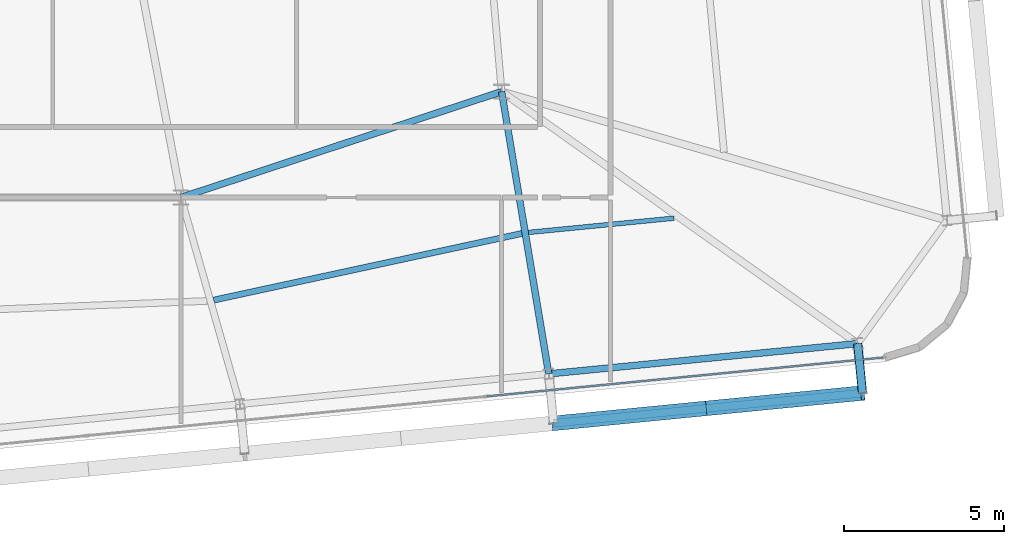
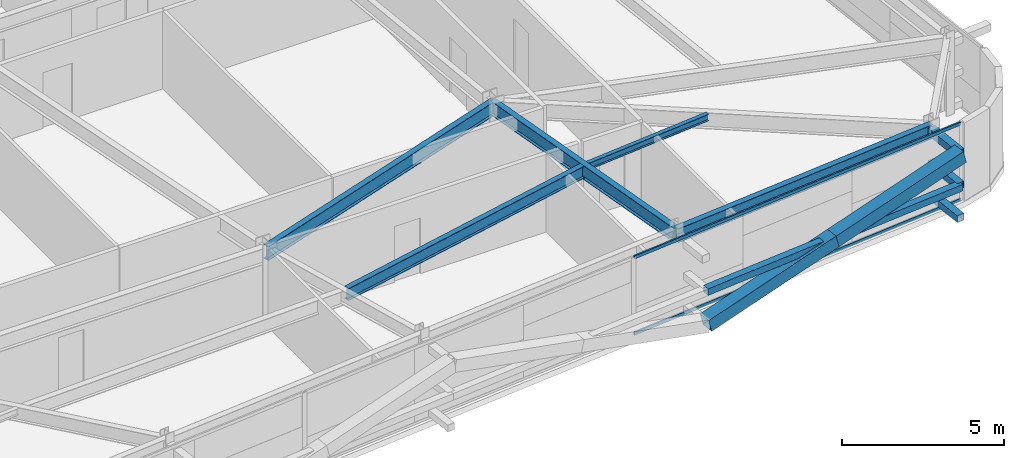
# One storey, part 16 of 47: 8 members, 5 beams, 1 element without a shape of its own.
"""IFC4 building model written with IfcOpenShell, lengths in metres."""

import ifcopenshell
import ifcopenshell.guid

model = None  # the IFC model being written
_history = None  # IfcOwnerHistory: only IFC2X3 demands one
_inside = {}  # id of a spatial element -> (the spatial element, [elements in it])
_under = {}  # id of a project, library or spatial element -> (it, [spatial elements below it])
_declared = {}  # id of a project -> (the project, [libraries it declares])
_typed = {}  # id of a type object -> (the type object, [elements of that type])
_made_of = {}  # id of a material, layer set ... -> (it, [elements and type objects made of it])


def new_model(schema):
    """Start an empty IFC model of exactly this schema.

    Asked for "IFC4X3", IfcOpenShell would pick the latest addendum, in which some entities
    have other attributes; the version numbers below select the first issue.
    IFC2X3 requires an IfcOwnerHistory on every rooted entity: one is made here for all.
    """
    global model, _history
    if schema == "IFC4X3":
        model = ifcopenshell.file(schema_version=(4, 3, 0, 0))
    else:
        model = ifcopenshell.file(schema=schema)
    _inside.clear()
    _under.clear()
    _declared.clear()
    _typed.clear()
    _made_of.clear()
    _history = None
    if model.schema == "IFC2X3":
        org = make("IfcOrganization", Name="unknown")
        user = make(
            "IfcPersonAndOrganization",
            ThePerson=make("IfcPerson", FamilyName="unknown"),
            TheOrganization=org,
        )
        app = make(
            "IfcApplication",
            ApplicationDeveloper=org,
            Version="unknown",
            ApplicationFullName="unknown",
            ApplicationIdentifier="unknown",
        )
        _history = make(
            "IfcOwnerHistory",
            OwningUser=user,
            OwningApplication=app,
            ChangeAction="ADDED",
            CreationDate=0,
        )
    return model


def make(cls, **values):
    """One entity of the class cls with the attributes given. An attribute that is None is left unset."""
    return model.create_entity(
        cls, **{name: value for name, value in values.items() if value is not None}
    )


def rooted(cls, **values):
    """An entity with a GlobalId (a new one), such as an element, a storey or a relation."""
    return make(cls, GlobalId=ifcopenshell.guid.new(), OwnerHistory=_history, **values)


def si_unit(unit_type, name, prefix=None):
    """IfcSIUnit, for example si_unit("LENGTHUNIT", "METRE", prefix="MILLI")."""
    return make("IfcSIUnit", UnitType=unit_type, Prefix=prefix, Name=name)


def assignment(units):
    """IfcUnitAssignment: the units of a project."""
    return None if units is None else make("IfcUnitAssignment", Units=units)


def point(xyz):
    """IfcCartesianPoint."""
    return None if xyz is None else make("IfcCartesianPoint", Coordinates=xyz)


def direction(xyz):
    """IfcDirection."""
    return None if xyz is None else make("IfcDirection", DirectionRatios=xyz)


def frame(location, z_axis=None, x_axis=None):
    """IfcAxis2Placement3D, a coordinate frame: its origin and axes. An axis left out is left unset."""
    return make(
        "IfcAxis2Placement3D",
        Location=point(location),
        Axis=direction(z_axis),
        RefDirection=direction(x_axis),
    )


def frame_2d(location, x_axis=None):
    """IfcAxis2Placement2D, a coordinate frame in the plane: its origin and x axis."""
    return make(
        "IfcAxis2Placement2D", Location=point(location), RefDirection=direction(x_axis)
    )


def origin():
    """The frame at (0, 0, 0) with its axes left unset."""
    return frame((0.0, 0.0, 0.0))


def origin_2d():
    """The frame at (0, 0) in the plane with its x axis left unset."""
    return frame_2d((0.0, 0.0))


def place(relative_to, where):
    """IfcLocalPlacement: puts the frame where relative to a parent placement (None: the world)."""
    return make(
        "IfcLocalPlacement", PlacementRelTo=relative_to, RelativePlacement=where
    )


def context(
    kind, dimensions, precision=None, world=None, true_north=None, identifier=None
):
    """IfcGeometricRepresentationContext, for example the 3D "Model" context."""
    return make(
        "IfcGeometricRepresentationContext",
        ContextIdentifier=identifier,
        ContextType=kind,
        CoordinateSpaceDimension=dimensions,
        Precision=precision,
        WorldCoordinateSystem=world,
        TrueNorth=true_north,
    )


def subcontext(parent, identifier, kind, view, scale=None):
    """IfcGeometricRepresentationSubContext, for example "Body" below "Model"."""
    return make(
        "IfcGeometricRepresentationSubContext",
        ContextIdentifier=identifier,
        ContextType=kind,
        ParentContext=parent,
        TargetScale=scale,
        TargetView=view,
    )


def project(units=None, contexts=None):
    """IfcProject with its units and contexts."""
    return rooted(
        "IfcProject",
        Name="project",
        RepresentationContexts=contexts,
        UnitsInContext=assignment(units),
    )


def spatial(cls, under=None, at=None, **own):
    """A site, building, storey or space (cls), placed at a placement, below another one or the project."""
    s = rooted(cls, ObjectPlacement=at, **own)
    if under is not None:
        _under.setdefault(under.id(), (under, []))[1].append(s)
    return s


def profile(cls, at=None, kind="AREA", **sizes):
    """A parametric profile (cls). Its sizes go by their IFC names, for example OverallWidth=200.0."""
    return make(cls, ProfileType=kind, Position=at, **sizes)


def hollow_rectangle(**sizes):
    """IfcRectangleHollowProfileDef."""
    return profile("IfcRectangleHollowProfileDef", **sizes)


def i_section(**sizes):
    """IfcIShapeProfileDef."""
    return profile("IfcIShapeProfileDef", **sizes)


def extrude(swept, where, along, depth):
    """IfcExtrudedAreaSolid: the profile swept, set in the frame where, extruded along a direction by depth."""
    return make(
        "IfcExtrudedAreaSolid",
        SweptArea=swept,
        Position=where,
        ExtrudedDirection=direction(along),
        Depth=depth,
    )


def shape(context_of_items, identifier, shape_type, items):
    """IfcShapeRepresentation: the items that make up one representation, for example the "Body"."""
    return make(
        "IfcShapeRepresentation",
        ContextOfItems=context_of_items,
        RepresentationIdentifier=identifier,
        RepresentationType=shape_type,
        Items=items,
    )


def source(mapping_origin, context_of_items, identifier, shape_type, items):
    """IfcRepresentationMap: a shape defined once, which mapped items show again and again."""
    return make(
        "IfcRepresentationMap",
        MappingOrigin=mapping_origin,
        MappedRepresentation=shape(context_of_items, identifier, shape_type, items),
    )


def transform(
    local_origin,
    x_axis=None,
    y_axis=None,
    z_axis=None,
    scale=None,
    scale2=None,
    scale3=None,
    uniform=True,
):
    """IfcCartesianTransformationOperator3D, or its non-uniform kind. x_axis, y_axis, z_axis: its Axis1, 2, 3."""
    if uniform:
        return make(
            "IfcCartesianTransformationOperator3D",
            Axis1=direction(x_axis),
            Axis2=direction(y_axis),
            LocalOrigin=point(local_origin),
            Scale=scale,
            Axis3=direction(z_axis),
        )
    return make(
        "IfcCartesianTransformationOperator3DnonUniform",
        Axis1=direction(x_axis),
        Axis2=direction(y_axis),
        LocalOrigin=point(local_origin),
        Scale=scale,
        Axis3=direction(z_axis),
        Scale2=scale2,
        Scale3=scale3,
    )


def mapped(mapping_source, mapping_target):
    """IfcMappedItem: shows the shape of a source again, moved by a transform."""
    return make(
        "IfcMappedItem", MappingSource=mapping_source, MappingTarget=mapping_target
    )


def material(Name=None, Category=None):
    """IfcMaterial."""
    return make("IfcMaterial", Name=Name, Category=Category)


def layer(
    of_material, thickness, ventilated=None, Name=None, Category=None, Priority=None
):
    """IfcMaterialLayer: one layer of a wall or slab, of a material (None: an air gap)."""
    return make(
        "IfcMaterialLayer",
        Material=of_material,
        LayerThickness=thickness,
        IsVentilated=ventilated,
        Name=Name,
        Category=Category,
        Priority=Priority,
    )


def layer_set(layers, Name=None):
    """IfcMaterialLayerSet."""
    return make("IfcMaterialLayerSet", MaterialLayers=layers, LayerSetName=Name)


def material_profile(
    of_material, cross_section, Name=None, Category=None, Priority=None
):
    """IfcMaterialProfile: a cross section and its material."""
    return make(
        "IfcMaterialProfile",
        Name=Name,
        Material=of_material,
        Profile=cross_section,
        Priority=Priority,
        Category=Category,
    )


def profile_set(profiles, Name=None, composite=None):
    """IfcMaterialProfileSet."""
    return make(
        "IfcMaterialProfileSet",
        Name=Name,
        MaterialProfiles=profiles,
        CompositeProfile=composite,
    )


def made_of(thing, what):
    """Note that an element or type object is made of a material, layer set ...; save() writes the relation."""
    if what is not None:
        _made_of.setdefault(what.id(), (what, []))[1].append(thing)
    return thing


def type_object(cls, material=None, **own):
    """A type object (cls), such as IfcWallType, which elements share."""
    return made_of(rooted(cls, **own), material)


def element(
    cls,
    number,
    at=None,
    inside=None,
    cuts=None,
    type_object=None,
    material=None,
    context=None,
    identifier="Body",
    shape_type=None,
    held_by="IfcProductDefinitionShape",
    body=None,
    shapes=None,
    **own,
):
    """One element of the class cls, such as IfcWall. Its Tag is "e" and its number.

    at: its placement. inside: the storey or other place that contains it. cuts: it is an
    opening in that element (IfcRelVoidsElement). A single representation is given by context,
    identifier, shape_type and body (its items); several are given by shapes. held_by: the class
    of the entity that holds the representations. save() writes the other relations.
    """
    e = rooted(cls, Tag="e%d" % number, ObjectPlacement=at, **own)
    if body is not None:
        shapes = [shape(context, identifier, shape_type, body)]
    if shapes is not None:
        e.Representation = make(held_by, Representations=shapes)
    if inside is not None:
        _inside.setdefault(inside.id(), (inside, []))[1].append(e)
    if cuts is not None:
        rooted(
            "IfcRelVoidsElement", RelatingBuildingElement=cuts, RelatedOpeningElement=e
        )
    if type_object is not None:
        _typed.setdefault(type_object.id(), (type_object, []))[1].append(e)
    return made_of(e, material)


def aggregate(whole, parts):
    """IfcRelAggregates: a whole, such as a stair, and the parts it consists of."""
    return rooted("IfcRelAggregates", RelatingObject=whole, RelatedObjects=parts)


def save(model, path):
    """Write the relations noted so far, then the file.

    IfcRelAggregates (storeys below a building ...), IfcRelContainedInSpatialStructure (elements
    in a storey), IfcRelDefinesByType, IfcRelAssociatesMaterial and IfcRelDeclares: one each for
    every whole, place, type object, material and project.
    """
    for whole, parts in _under.values():
        aggregate(whole, parts)
    for where, things in _inside.values():
        rooted(
            "IfcRelContainedInSpatialStructure",
            RelatedElements=things,
            RelatingStructure=where,
        )
    for kind, things in _typed.values():
        rooted("IfcRelDefinesByType", RelatedObjects=things, RelatingType=kind)
    for what, things in _made_of.values():
        rooted("IfcRelAssociatesMaterial", RelatedObjects=things, RelatingMaterial=what)
    for by, libraries in _declared.values():
        rooted("IfcRelDeclares", RelatingContext=by, RelatedDefinitions=libraries)
    model.write(path)


model = new_model("IFC4")

# Units and contexts
model_context = context("Model", 3, precision=1e-05, world=origin(), true_north=direction((0.0, 1.0)))
body_context = subcontext(model_context, "Body", "Model", "MODEL_VIEW")
ifc_project = project(units=[si_unit("LENGTHUNIT", "METRE"), si_unit("AREAUNIT", "SQUARE_METRE"), si_unit("VOLUMEUNIT", "CUBIC_METRE"), si_unit("PLANEANGLEUNIT", "RADIAN"), si_unit("MASSUNIT", "GRAM", prefix="KILO")], contexts=[model_context])

# Site, building, storey
site_placement = place(None, origin())
site = spatial("IfcSite", under=ifc_project, at=site_placement, CompositionType="ELEMENT")
building_placement = place(site_placement, origin())
building = spatial("IfcBuilding", under=site, at=building_placement, Name="Taldren Reach Tower", CompositionType="ELEMENT")
storey_placement = place(building_placement, frame((0.0, 0.0, 106.050048828125)))
storey = spatial("IfcBuildingStorey", under=building, at=storey_placement, Name="L32", CompositionType="ELEMENT", Elevation=106.050048828125)

# Beam
ifc_material_1 = material(Name="Steel Gr 350 (350PLUS)", Category="steel")
ifc_material_profile_1 = material_profile(ifc_material_1, i_section(OverallWidth=0.208984375, OverallDepth=0.532958984375, WebThickness=0.01025390625, FlangeThickness=0.015625, at=origin_2d()), Name="530UB92.4")
ifc_profile_set_1 = profile_set([ifc_material_profile_1], Name="Steel Gr 350 (350PLUS)")
beam_type_1 = type_object("IfcBeamType", Name="BM-UB530A", PredefinedType="BEAM", material=ifc_profile_set_1)
shared_shape_1 = source(origin(), body_context, "Body", "SweptSolid", [
    extrude(i_section(OverallWidth=0.208984375, OverallDepth=0.532958984375, WebThickness=0.01025390625, FlangeThickness=0.015625, at=origin_2d()), origin(), (0.0, 0.0, 1.0), 10.530517578125),
])
beam_1_placement = place(storey_placement, frame((42.0, 9.199951171875, 2.663330078125), z_axis=(0.949627269203, 0.313381635689, 0.0), x_axis=(-0.313381635689, 0.949627269203, 0.0)))
element("IfcBeam", 1, at=beam_1_placement, inside=storey, type_object=beam_type_1, Name="Core-spine girder L32-SP12", PredefinedType="BEAM", context=body_context, shape_type="MappedRepresentation", body=[
    mapped(shared_shape_1, transform((0.0, 0.0, 0.0), scale=1.0)),
])

# Members
ifc_material_2 = material(Name="Steel Gr 450 (C450L0)", Category="steel")
ifc_material_profile_2 = material_profile(ifc_material_2, hollow_rectangle(XDim=0.27490234375, YDim=0.27490234375, WallThickness=0.00927734375, at=origin_2d()), Name="275x275x9.3SHS")
ifc_profile_set_2 = profile_set([ifc_material_profile_2], Name="Steel Gr 450 (C450L0)")
member_type_1 = type_object("IfcMemberType", Name="MB-TIE273", PredefinedType="STRUT", material=ifc_profile_set_2)
shared_shape_2 = source(origin(), body_context, "Body", "SweptSolid", [
    extrude(hollow_rectangle(XDim=0.27490234375, YDim=0.27490234375, WallThickness=0.00927734375, at=origin_2d()), origin(), (0.0, 0.0, 1.0), 1.5498046875),
])
member_1_placement = place(storey_placement, frame((63.103271484375, 4.64306640625, 2.64990234375), z_axis=(0.097507178627, -0.995234821595, 0.0), x_axis=(0.995234821595, 0.097507178627, 0.0)))
element("IfcMember", 2, at=member_1_placement, inside=storey, type_object=member_type_1, Name="Exoskeleton diaphragm tie strut B2-S6 L32", PredefinedType="STRUT", context=body_context, shape_type="MappedRepresentation", body=[
    mapped(shared_shape_2, transform((0.0, 0.0, 0.0), scale=1.0)),
])
ifc_material_3 = material(Name="Steel Gr 350 (C350L0)", Category="steel")
ifc_material_profile_3 = material_profile(ifc_material_3, hollow_rectangle(XDim=0.25, YDim=0.25, WallThickness=0.010009765625, at=origin_2d()), Name="250x250x10.0SHS")
ifc_profile_set_3 = profile_set([ifc_material_profile_3], Name="Steel Gr 350 (C350L0)")
member_type_2 = type_object("IfcMemberType", Name="MB-POST250", PredefinedType="POST", material=ifc_profile_set_3)
shared_shape_3 = source(origin(), body_context, "Body", "SweptSolid", [
    extrude(hollow_rectangle(XDim=0.25, YDim=0.25, WallThickness=0.010009765625, at=origin_2d()), origin(), (0.0, 0.0, 1.0), 1.5498046875),
])
for number, where, z_axis, x_axis, name in (
    (3, (63.103271484375, 4.64306640625, 0.219970703125), (0.097507178627, -0.995234821595, 0.0), (0.995234821595, 0.097507178627, 0.0), "Exoskeleton base diaphragm tie strut B2-S6 L32"),
    (4, (63.103271484375, 4.64306640625, 1.43505859375), (0.097507178627, -0.995234821595, 0.0), (0.995234821595, 0.097507178627, 0.0), "Exoskeleton mid-tier diaphragm tie B2-S6 L32"),
):
    element("IfcMember", number, at=place(storey_placement, frame(where, z_axis=z_axis, x_axis=x_axis)), inside=storey, type_object=member_type_2, Name=name, PredefinedType="POST", context=body_context, shape_type="MappedRepresentation", body=[
        mapped(shared_shape_3, transform((0.0, 0.0, 0.0), scale=1.0)),
    ])

# Beams
ifc_material_profile_4 = material_profile(ifc_material_1, i_section(OverallWidth=0.208984375, OverallDepth=0.528076171875, WebThickness=0.009521484375, FlangeThickness=0.01318359375, at=origin_2d()), Name="530UB82.0")
ifc_profile_set_4 = profile_set([ifc_material_profile_4], Name="Steel Gr 350 (350PLUS)")
beam_type_2 = type_object("IfcBeamType", Name="SP-UB530B", PredefinedType="SPANDREL", material=ifc_profile_set_4)
shared_shape_4 = source(origin(), body_context, "Body", "SweptSolid", [
    extrude(i_section(OverallWidth=0.208984375, OverallDepth=0.528076171875, WebThickness=0.009521484375, FlangeThickness=0.01318359375, at=origin_2d()), origin(), (0.0, 0.0, 1.0), 9.679931640625),
])
beam_2_placement = place(storey_placement, frame((53.469482421875, 3.698486328125, 2.666015625), z_axis=(0.995227612658, 0.097580730699, 0.0), x_axis=(-0.097580730699, 0.995227612658, 0.0)))
element("IfcBeam", 5, at=beam_2_placement, inside=storey, type_object=beam_type_2, Name="Perimeter spandrel B2 S5-S6 L32", PredefinedType="SPANDREL", context=body_context, shape_type="MappedRepresentation", body=[
    mapped(shared_shape_4, transform((0.0, 0.0, 0.0), scale=1.0)),
])
shared_shape_5 = source(origin(), body_context, "Body", "SweptSolid", [
    extrude(i_section(OverallWidth=0.208984375, OverallDepth=0.532958984375, WebThickness=0.01025390625, FlangeThickness=0.015625, at=origin_2d()), origin(), (0.0, 0.0, 1.0), 8.92333984375),
])
beam_3_placement = place(storey_placement, frame((52.0, 12.5, 2.663330078125), z_axis=(0.164678494096, -0.986347298664, 0.0), x_axis=(0.986347298664, 0.164678494096, 0.0)))
element("IfcBeam", 6, at=beam_3_placement, inside=storey, type_object=beam_type_1, Name="Primary floor girder B2-S5 L32", PredefinedType="BEAM", context=body_context, shape_type="MappedRepresentation", body=[
    mapped(shared_shape_5, transform((0.0, 0.0, 0.0), scale=1.0)),
])
ifc_material_profile_5 = material_profile(ifc_material_1, i_section(OverallWidth=0.19091796875, OverallDepth=0.4599609375, WebThickness=0.010009765625, FlangeThickness=0.01611328125, at=origin_2d()), Name="460UB82.1")
ifc_profile_set_5 = profile_set([ifc_material_profile_5], Name="Steel Gr 350 (350PLUS)")
beam_type_3 = type_object("IfcBeamType", Name="BM-UB460A", PredefinedType="BEAM", material=ifc_profile_set_5)
shared_shape_6 = source(origin(), body_context, "Body", "SweptSolid", [
    extrude(i_section(OverallWidth=0.19091796875, OverallDepth=0.4599609375, WebThickness=0.010009765625, FlangeThickness=0.01611328125, at=origin_2d()), origin(), (0.0, 0.0, 1.0), 9.83447265625),
])
beam_4_placement = place(storey_placement, frame((43.02001953125, 5.9990234375, 2.699951171875), z_axis=(0.977418600156, 0.211312280924, 0.0), x_axis=(-0.211312280924, 0.977418600156, 0.0)))
element("IfcBeam", 7, at=beam_4_placement, inside=storey, type_object=beam_type_3, Name="Secondary floor beam B2 J4 L32", PredefinedType="BEAM", context=body_context, shape_type="MappedRepresentation", body=[
    mapped(shared_shape_6, transform((0.0, 0.0, 0.0), scale=1.0)),
])
ifc_material_4 = material(Name="Steel Gr 300 (300PLUS, 300 MPa)", Category="steel")
ifc_material_profile_6 = material_profile(ifc_material_4, i_section(OverallWidth=0.14599609375, OverallDepth=0.256103515625, WebThickness=0.00634765625, FlangeThickness=0.010986328125, at=origin_2d()), Name="250UB37.3")
ifc_profile_set_6 = profile_set([ifc_material_profile_6], Name="Steel Gr 300 (300PLUS, 300 MPa)")
beam_type_4 = type_object("IfcBeamType", Name="JS-UB250", PredefinedType="JOIST", material=ifc_profile_set_6)
shared_shape_7 = source(origin(), body_context, "Body", "SweptSolid", [
    extrude(i_section(OverallWidth=0.14599609375, OverallDepth=0.256103515625, WebThickness=0.00634765625, FlangeThickness=0.010986328125, at=origin_2d()), origin(), (0.0, 0.0, 1.0), 4.56103515625),
])
beam_5_placement = place(storey_placement, frame((52.8388671875, 8.109375, 2.802001953125), z_axis=(0.995227709746, 0.097579740487, 0.0), x_axis=(-0.097579740487, 0.995227709746, 0.0)))
element("IfcBeam", 8, at=beam_5_placement, inside=storey, type_object=beam_type_4, Name="Secondary floor joist B2 J5 L32", PredefinedType="JOIST", context=body_context, shape_type="MappedRepresentation", body=[
    mapped(shared_shape_7, transform((0.0, 0.0, 0.0), scale=1.0)),
])

# Members
ifc_material_profile_7 = material_profile(ifc_material_2, hollow_rectangle(XDim=0.4599609375, YDim=0.4599609375, WallThickness=0.01611328125, at=origin_2d()), Name="460x460x16.0SHS")
ifc_profile_set_7 = profile_set([ifc_material_profile_7], Name="Steel Gr 450 (C450L0)")
member_type_3 = type_object("IfcMemberType", Name="MB-EXO457", PredefinedType="BRACE", material=ifc_profile_set_7)
shared_shape_8 = source(origin(), body_context, "Body", "SweptSolid", [
    extrude(hollow_rectangle(XDim=0.4599609375, YDim=0.4599609375, WallThickness=0.01611328125, at=origin_2d()), origin(), (0.0, 0.0, 1.0), 4.990234375),
])
for number, where, z_axis, x_axis, name in (
    (9, (53.62060546875, 2.156005859375, 0.219970703125), (0.965275526283, 0.094619506732, 0.243496010862), (-0.097555749586, 0.995230061706, 0.0), "Exoskeleton Diagrid Brace B2-S5 L32"),
    (10, (58.4375, 2.628173828125, 1.43505859375), (0.965282554799, 0.094669120301, 0.243448859234), (-0.097605711627, 0.995225162995, 0.0), "Exoskeleton Diagrid Brace B2-S5 L32"),
):
    element("IfcMember", number, at=place(storey_placement, frame(where, z_axis=z_axis, x_axis=x_axis)), inside=storey, type_object=member_type_3, Name=name, PredefinedType="BRACE", context=body_context, shape_type="MappedRepresentation", body=[
        mapped(shared_shape_8, transform((0.0, 0.0, 0.0), scale=1.0)),
    ])
shared_shape_9 = source(origin(), body_context, "Body", "SweptSolid", [
    extrude(hollow_rectangle(XDim=0.25, YDim=0.25, WallThickness=0.010009765625, at=origin_2d()), origin(), (0.0, 0.0, 1.0), 9.679931640625),
])
member_2_placement = place(storey_placement, frame((53.62060546875, 2.156005859375, 1.43505859375), z_axis=(0.995227612658, 0.097580730699, 0.0), x_axis=(-0.097580730699, 0.995227612658, 0.0)))
element("IfcMember", 11, at=member_2_placement, inside=storey, type_object=member_type_2, Name="Exoskeleton mid-height ring chord B2-S5 L32", PredefinedType="POST", context=body_context, shape_type="MappedRepresentation", body=[
    mapped(shared_shape_9, transform((0.0, 0.0, 0.0), scale=1.0)),
])

# Curtain wall, members
ifc_material_5 = material(Name="Aluminium and Low-E Glass Unitised System", Category="aluminium")
ifc_layer = layer(ifc_material_5, 0.159912109375)
ifc_layer_set = layer_set([ifc_layer], Name="Aluminium and Low-E Glass Unitised System")
curtain_wall_type = type_object("IfcCurtainWallType", Name="CW-SYS-3", PredefinedType="NOTDEFINED", material=ifc_layer_set)
curtain_wall_placement = place(storey_placement, origin())
curtain_wall = element("IfcCurtainWall", 12, at=curtain_wall_placement, inside=storey, type_object=curtain_wall_type, Name="Unitised curtain wall CW-L32-S", PredefinedType="NOTDEFINED")
ifc_material_6 = material(Name="Anodised Aluminium 6063-T6", Category="aluminium")
ifc_material_profile_8 = material_profile(ifc_material_6, hollow_rectangle(XDim=0.054931640625, YDim=0.1201171875, WallThickness=0.0029296875, at=origin_2d()), Name="ALU-120x55x3RHS")
ifc_profile_set_8 = profile_set([ifc_material_profile_8], Name="Anodised Aluminium 6063-T6")
member_type_4 = type_object("IfcMemberType", Name="CW-TRN-135", PredefinedType="USERDEFINED", material=ifc_profile_set_8)
shared_shape_10 = source(origin(), body_context, "Body", "SweptSolid", [
    extrude(hollow_rectangle(XDim=0.054931640625, YDim=0.1201171875, WallThickness=0.0029296875, at=origin_2d()), origin(), (0.0, 0.0, 1.0), 12.402587890625),
])
member_3_placement = place(storey_placement, frame((51.541015625, 2.9970703125, 0.02734375), z_axis=(0.99522807535, 0.097576011581, 0.0), x_axis=(-0.097576011581, 0.99522807535, 0.0)))
member_3 = element("IfcMember", 13, at=member_3_placement, type_object=member_type_4, Name="CW-3 transom 4.1", ObjectType="TRANSOM", PredefinedType="USERDEFINED", context=body_context, shape_type="MappedRepresentation", body=[
    mapped(shared_shape_10, transform((0.0, 0.0, 0.0), scale=1.0)),
])
member_4_placement = place(storey_placement, frame((51.541015625, 2.9970703125, 2.90234375), z_axis=(0.99522807535, 0.097576011581, 0.0), x_axis=(-0.097576011581, 0.99522807535, 0.0)))
member_4 = element("IfcMember", 14, at=member_4_placement, type_object=member_type_4, Name="CW-3 transom 4.2", ObjectType="TRANSOM", PredefinedType="USERDEFINED", context=body_context, shape_type="MappedRepresentation", body=[
    mapped(shared_shape_10, transform((0.0, 0.0, 0.0), scale=1.0)),
])
aggregate(curtain_wall, [member_3, member_4])

save(model, "model.ifc")
